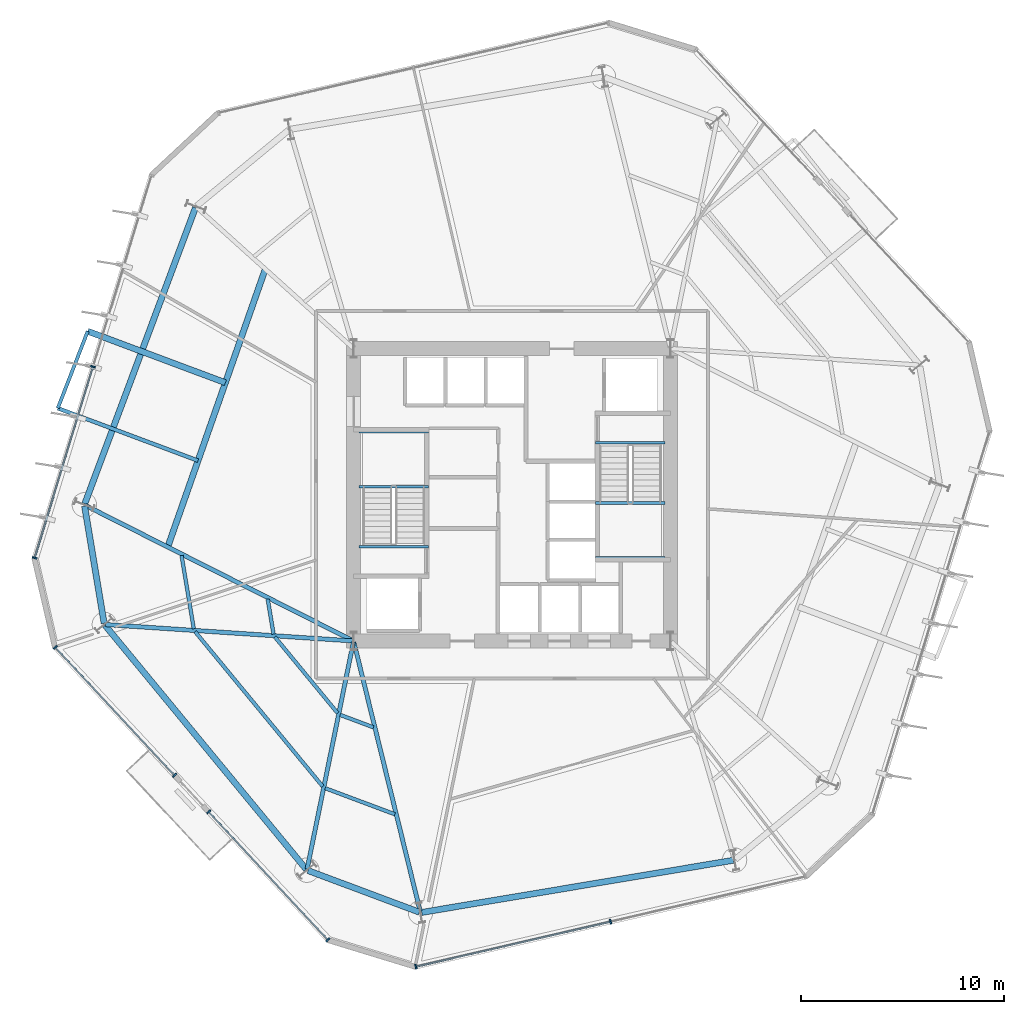
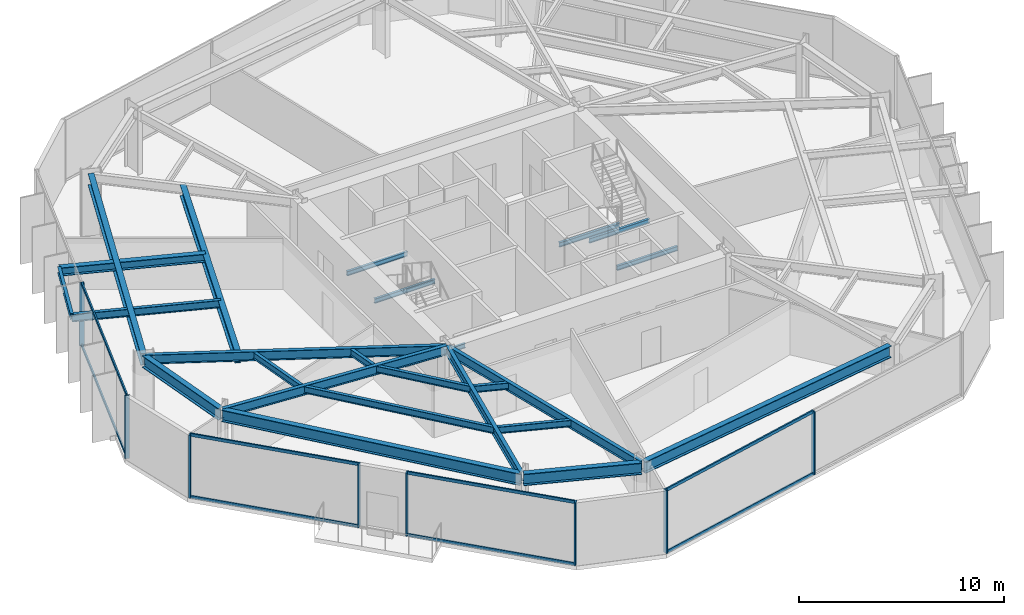
# One storey, part 2 of 10: 25 beams, 16 members, 4 elements without a shape of their own.
"""IFC4 building model written with IfcOpenShell, lengths in metres."""

from ifc_helpers import new_model, si_unit, direction, frame, origin, origin_2d, place, context, subcontext, project, spatial, rectangle, i_section, extrude, material, layer, layer_set, material_profile, profile_set, type_object, element, aggregate, save


model = new_model("IFC4")

# Units and contexts
model_context = context("Model", 3, precision=1e-05, world=origin(), true_north=direction((0.0, 1.0)))
body_context = subcontext(model_context, "Body", "Model", "MODEL_VIEW")
ifc_project = project(units=[si_unit("LENGTHUNIT", "METRE"), si_unit("AREAUNIT", "SQUARE_METRE"), si_unit("VOLUMEUNIT", "CUBIC_METRE"), si_unit("PLANEANGLEUNIT", "RADIAN"), si_unit("MASSUNIT", "GRAM", prefix="KILO")], contexts=[model_context])

# Site, building, storey
site_placement = place(None, origin())
site = spatial("IfcSite", under=ifc_project, at=site_placement, CompositionType="ELEMENT")
building_placement = place(site_placement, origin())
building = spatial("IfcBuilding", under=site, at=building_placement, Name="Kranzbogen Civic Tower", CompositionType="ELEMENT")
storey_placement = place(building_placement, frame((0.0, 0.0, 72.0)))
storey = spatial("IfcBuildingStorey", under=building, at=storey_placement, Name="L17", CompositionType="ELEMENT", Elevation=72.0)

# Beam
ifc_material_1 = material(Name="Steel S355", Category="steel")
ifc_material_profile_1 = material_profile(ifc_material_1, i_section(OverallWidth=0.18994140625, OverallDepth=0.449951171875, WebThickness=0.009521484375, FlangeThickness=0.0146484375, at=origin_2d()), Name="IPE 450")
ifc_profile_set_1 = profile_set([ifc_material_profile_1], Name="Steel S355")
beam_type_1 = type_object("IfcBeamType", Name="Braced Terrace Edge Beam IPE 450", PredefinedType="BEAM", material=ifc_profile_set_1)
beam_1_placement = place(storey_placement, frame((9.5400390625, 26.678955078125, 3.52490234375), z_axis=(-0.936656766471, 0.350248628582, 0.0), x_axis=(-0.350248628582, -0.936656766471, 0.0)))
element("IfcBeam", 1, at=beam_1_placement, inside=storey, type_object=beam_type_1, Name="L18 back-spanned terrace beam L18-TB2-2", PredefinedType="BEAM", context=body_context, shape_type="SweptSolid", body=[
    extrude(i_section(OverallWidth=0.18994140625, OverallDepth=0.449951171875, WebThickness=0.009521484375, FlangeThickness=0.0146484375, at=origin_2d()), origin(), (0.0, 0.0, 1.0), 7.3720703125),
])

# Curtain wall, members
ifc_material_2 = material(Name="Pale Anodised Aluminium", Category="aluminium")
ifc_layer = layer(ifc_material_2, 0.219970703125, Name="Pale Anodised Aluminium")
ifc_layer_set = layer_set([ifc_layer], Name="Pale Anodised Aluminium")
curtain_wall_type = type_object("IfcCurtainWallType", Name="Zone 1 Stick Curtain Wall System CW-02", PredefinedType="USERDEFINED", material=ifc_layer_set)
curtain_wall_1_placement = place(storey_placement, origin())
curtain_wall_1 = element("IfcCurtainWall", 2, at=curtain_wall_1_placement, inside=storey, type_object=curtain_wall_type, Name="L17 curtain wall CW-L17-F3", ObjectType="STICK CURTAIN WALL", PredefinedType="USERDEFINED")
ifc_material_profile_2 = material_profile(ifc_material_2, rectangle(XDim=0.080078125, YDim=0.239990234375, at=origin_2d()), Name="ALU-M 80x240")
ifc_profile_set_2 = profile_set([ifc_material_profile_2], Name="Pale Anodised Aluminium")
member_type_1 = type_object("IfcMemberType", Name="Curtain Wall Mullion ALU-M 80x240", PredefinedType="MULLION", material=ifc_profile_set_2)
member_1_placement = place(storey_placement, frame((4.37060546875, 31.306884765625, 0.0), z_axis=(0.0, 0.0, 1.0), x_axis=(-0.292380656499, -0.956302019085, 0.0)))
member_1 = element("IfcMember", 3, at=member_1_placement, type_object=member_type_1, Name="CW-02 mullion 2", PredefinedType="MULLION", context=body_context, shape_type="SweptSolid", body=[
    extrude(rectangle(XDim=0.080078125, YDim=0.239990234375, at=origin_2d()), origin(), (0.0, 0.0, 1.0), 3.760009765625),
])
member_2_placement = place(storey_placement, frame((1.49267578125, 21.894775390625, 0.0), z_axis=(0.0, 0.0, 1.0), x_axis=(-0.292380656499, -0.956302019085, 0.0)))
member_2 = element("IfcMember", 4, at=member_2_placement, type_object=member_type_1, Name="CW-02 mullion 3", PredefinedType="MULLION", context=body_context, shape_type="SweptSolid", body=[
    extrude(rectangle(XDim=0.080078125, YDim=0.239990234375, at=origin_2d()), origin(), (0.0, 0.0, 1.0), 3.760009765625),
])

curtain_wall_2_placement = place(storey_placement, origin())
curtain_wall_2 = element("IfcCurtainWall", 5, at=curtain_wall_2_placement, inside=storey, type_object=curtain_wall_type, Name="L17 curtain wall CW-L17-F4-S1", ObjectType="STICK CURTAIN WALL", PredefinedType="USERDEFINED")
member_3_placement = place(storey_placement, frame((2.510498046875, 17.485107421875, 0.0), z_axis=(0.0, 0.0, 1.0), x_axis=(0.681997701527, -0.731354315713, 0.0)))
member_3 = element("IfcMember", 6, at=member_3_placement, type_object=member_type_1, Name="CW-02 mullion 1", PredefinedType="MULLION", context=body_context, shape_type="SweptSolid", body=[
    extrude(rectangle(XDim=0.080078125, YDim=0.239990234375, at=origin_2d()), origin(), (0.0, 0.0, 1.0), 3.760009765625),
])
member_4_placement = place(storey_placement, frame((8.383544921875, 11.18701171875, 0.0), z_axis=(0.0, 0.0, 1.0), x_axis=(0.681997701527, -0.731354315713, 0.0)))
member_4 = element("IfcMember", 7, at=member_4_placement, type_object=member_type_1, Name="CW-02 mullion 2", PredefinedType="MULLION", context=body_context, shape_type="SweptSolid", body=[
    extrude(rectangle(XDim=0.080078125, YDim=0.239990234375, at=origin_2d()), origin(), (0.0, 0.0, 1.0), 3.760009765625),
])

curtain_wall_3_placement = place(storey_placement, origin())
curtain_wall_3 = element("IfcCurtainWall", 8, at=curtain_wall_3_placement, inside=storey, type_object=curtain_wall_type, Name="L17 curtain wall CW-L17-F4-S2", ObjectType="STICK CURTAIN WALL", PredefinedType="USERDEFINED")
member_5_placement = place(storey_placement, frame((10.0615234375, 9.386962890625, 0.0), z_axis=(0.0, 0.0, 1.0), x_axis=(0.681997701527, -0.731354315713, 0.0)))
member_5 = element("IfcMember", 9, at=member_5_placement, type_object=member_type_1, Name="CW-02 mullion 1", PredefinedType="MULLION", context=body_context, shape_type="SweptSolid", body=[
    extrude(rectangle(XDim=0.080078125, YDim=0.239990234375, at=origin_2d()), origin(), (0.0, 0.0, 1.0), 3.760009765625),
])
member_6_placement = place(storey_placement, frame((15.9345703125, 3.0888671875, 0.0), z_axis=(0.0, 0.0, 1.0), x_axis=(0.681997701527, -0.731354315713, 0.0)))
member_6 = element("IfcMember", 10, at=member_6_placement, type_object=member_type_1, Name="CW-02 mullion 2", PredefinedType="MULLION", context=body_context, shape_type="SweptSolid", body=[
    extrude(rectangle(XDim=0.080078125, YDim=0.239990234375, at=origin_2d()), origin(), (0.0, 0.0, 1.0), 3.760009765625),
])

curtain_wall_4_placement = place(storey_placement, origin())
curtain_wall_4 = element("IfcCurtainWall", 11, at=curtain_wall_4_placement, inside=storey, type_object=curtain_wall_type, Name="L17 curtain wall CW-L17-F5", ObjectType="STICK CURTAIN WALL", PredefinedType="USERDEFINED")
member_7_placement = place(storey_placement, frame((20.26318359375, 1.765869140625, 0.0), z_axis=(0.0, 0.0, 1.0), x_axis=(0.974363872797, 0.224977873109, 0.0)))
member_7 = element("IfcMember", 12, at=member_7_placement, type_object=member_type_1, Name="CW-02 mullion 1", PredefinedType="MULLION", context=body_context, shape_type="SweptSolid", body=[
    extrude(rectangle(XDim=0.080078125, YDim=0.239990234375, at=origin_2d()), origin(), (0.0, 0.0, 1.0), 3.760009765625),
])
member_8_placement = place(storey_placement, frame((29.85302734375, 3.97998046875, 0.0), z_axis=(0.0, 0.0, 1.0), x_axis=(0.974363872797, 0.224977873109, 0.0)))
member_8 = element("IfcMember", 13, at=member_8_placement, type_object=member_type_1, Name="CW-02 mullion 2", PredefinedType="MULLION", context=body_context, shape_type="SweptSolid", body=[
    extrude(rectangle(XDim=0.080078125, YDim=0.239990234375, at=origin_2d()), origin(), (0.0, 0.0, 1.0), 3.760009765625),
])

# Member
ifc_material_profile_3 = material_profile(ifc_material_2, rectangle(XDim=0.080078125, YDim=0.179931640625, at=origin_2d()), Name="ALU-T 80x180")
ifc_profile_set_3 = profile_set([ifc_material_profile_3], Name="Pale Anodised Aluminium")
member_type_2 = type_object("IfcMemberType", Name="Curtain Wall Transom ALU-T 80x180", PredefinedType="USERDEFINED", material=ifc_profile_set_3)
member_9_placement = place(storey_placement, frame((4.36181640625, 31.2783203125, 0.030029296875), z_axis=(-0.2923947963, -0.956297695854, 0.0), x_axis=(0.956297695854, -0.2923947963, 0.0)))
member_9 = element("IfcMember", 14, at=member_9_placement, type_object=member_type_2, Name="CW-02 transom 2.1", ObjectType="TRANSOM", PredefinedType="USERDEFINED", context=body_context, shape_type="SweptSolid", body=[
    extrude(rectangle(XDim=0.080078125, YDim=0.179931640625, at=origin_2d()), origin(), (0.0, 0.0, 1.0), 9.782470703125),
])

member_10_placement = place(storey_placement, frame((4.36181640625, 31.2783203125, 3.72998046875), z_axis=(-0.2923947963, -0.956297695854, 0.0), x_axis=(0.956297695854, -0.2923947963, 0.0)))
member_10 = element("IfcMember", 15, at=member_10_placement, type_object=member_type_2, Name="CW-02 transom 2.2", ObjectType="TRANSOM", PredefinedType="USERDEFINED", context=body_context, shape_type="SweptSolid", body=[
    extrude(rectangle(XDim=0.080078125, YDim=0.179931640625, at=origin_2d()), origin(), (0.0, 0.0, 1.0), 9.782470703125),
])

aggregate(curtain_wall_1, [member_1, member_2, member_9, member_10])

member_11_placement = place(storey_placement, frame((2.531005859375, 17.463134765625, 0.030029296875), z_axis=(0.681994710967, -0.731357104439, 0.0), x_axis=(0.731357104439, 0.681994710967, 0.0)))
member_11 = element("IfcMember", 16, at=member_11_placement, type_object=member_type_2, Name="CW-02 transom 1.1", ObjectType="TRANSOM", PredefinedType="USERDEFINED", context=body_context, shape_type="SweptSolid", body=[
    extrude(rectangle(XDim=0.080078125, YDim=0.179931640625, at=origin_2d()), origin(), (0.0, 0.0, 1.0), 8.551513671875),
])

member_12_placement = place(storey_placement, frame((2.531005859375, 17.463134765625, 3.72998046875), z_axis=(0.681994710967, -0.731357104439, 0.0), x_axis=(0.731357104439, 0.681994710967, 0.0)))
member_12 = element("IfcMember", 17, at=member_12_placement, type_object=member_type_2, Name="CW-02 transom 1.2", ObjectType="TRANSOM", PredefinedType="USERDEFINED", context=body_context, shape_type="SweptSolid", body=[
    extrude(rectangle(XDim=0.080078125, YDim=0.179931640625, at=origin_2d()), origin(), (0.0, 0.0, 1.0), 8.551513671875),
])

aggregate(curtain_wall_2, [member_3, member_4, member_11, member_12])

member_13_placement = place(storey_placement, frame((10.08203125, 9.365234375, 0.030029296875), z_axis=(0.681980471079, -0.731370382958, 0.0), x_axis=(0.731370382958, 0.681980471079, 0.0)))
member_13 = element("IfcMember", 18, at=member_13_placement, type_object=member_type_2, Name="CW-02 transom 1.1", ObjectType="TRANSOM", PredefinedType="USERDEFINED", context=body_context, shape_type="SweptSolid", body=[
    extrude(rectangle(XDim=0.080078125, YDim=0.179931640625, at=origin_2d()), origin(), (0.0, 0.0, 1.0), 8.551513671875),
])

member_14_placement = place(storey_placement, frame((10.08203125, 9.365234375, 3.72998046875), z_axis=(0.681980471079, -0.731370382958, 0.0), x_axis=(0.731370382958, 0.681980471079, 0.0)))
member_14 = element("IfcMember", 19, at=member_14_placement, type_object=member_type_2, Name="CW-02 transom 1.2", ObjectType="TRANSOM", PredefinedType="USERDEFINED", context=body_context, shape_type="SweptSolid", body=[
    extrude(rectangle(XDim=0.080078125, YDim=0.179931640625, at=origin_2d()), origin(), (0.0, 0.0, 1.0), 8.551513671875),
])

aggregate(curtain_wall_3, [member_5, member_6, member_13, member_14])

member_15_placement = place(storey_placement, frame((20.29248046875, 1.7724609375, 0.030029296875), z_axis=(0.974365109305, 0.224972517809, 0.0), x_axis=(-0.224972517809, 0.974365109305, 0.0)))
member_15 = element("IfcMember", 20, at=member_15_placement, type_object=member_type_2, Name="CW-02 transom 1.1", ObjectType="TRANSOM", PredefinedType="USERDEFINED", context=body_context, shape_type="SweptSolid", body=[
    extrude(rectangle(XDim=0.080078125, YDim=0.179931640625, at=origin_2d()), origin(), (0.0, 0.0, 1.0), 9.781982421875),
])

member_16_placement = place(storey_placement, frame((20.29248046875, 1.7724609375, 3.72998046875), z_axis=(0.974365109305, 0.224972517809, 0.0), x_axis=(-0.224972517809, 0.974365109305, 0.0)))
member_16 = element("IfcMember", 21, at=member_16_placement, type_object=member_type_2, Name="CW-02 transom 1.2", ObjectType="TRANSOM", PredefinedType="USERDEFINED", context=body_context, shape_type="SweptSolid", body=[
    extrude(rectangle(XDim=0.080078125, YDim=0.179931640625, at=origin_2d()), origin(), (0.0, 0.0, 1.0), 9.781982421875),
])

aggregate(curtain_wall_4, [member_7, member_8, member_15, member_16])

# Beams
ifc_material_profile_4 = material_profile(ifc_material_1, i_section(OverallWidth=0.300048828125, OverallDepth=0.5, WebThickness=0.014404296875, FlangeThickness=0.028076171875, at=origin_2d()), Name="HEB 500")
ifc_profile_set_4 = profile_set([ifc_material_profile_4], Name="Steel S355")
beam_type_2 = type_object("IfcBeamType", Name="Perimeter Tube Spandrel Beam HEB 500", PredefinedType="SPANDREL", material=ifc_profile_set_4)
beam_2_placement = place(storey_placement, frame((10.887939453125, 30.51806640625, 3.5), z_axis=(-0.936701575718, 0.350128773522, 0.0), x_axis=(-0.350128773522, -0.936701575718, 0.0)))
element("IfcBeam", 22, at=beam_2_placement, inside=storey, type_object=beam_type_2, Name="L18 back-spanned terrace beam L18-TB2-1", PredefinedType="SPANDREL", context=body_context, shape_type="SweptSolid", body=[
    extrude(i_section(OverallWidth=0.300048828125, OverallDepth=0.5, WebThickness=0.014404296875, FlangeThickness=0.028076171875, at=origin_2d()), origin(), (0.0, 0.0, 1.0), 7.237060546875),
])
ifc_material_profile_5 = material_profile(ifc_material_1, i_section(OverallWidth=0.300048828125, OverallDepth=0.699951171875, WebThickness=0.01708984375, FlangeThickness=0.031982421875, at=origin_2d()), Name="HEB 700")
ifc_profile_set_5 = profile_set([ifc_material_profile_5], Name="Steel S355")
beam_type_3 = type_object("IfcBeamType", Name="Perimeter Tube Spandrel Beam HEB 700", PredefinedType="SPANDREL", material=ifc_profile_set_5)
beam_3_placement = place(storey_placement, frame((3.952880859375, 24.445068359375, 3.409912109375), z_axis=(0.164913116942, -0.986308097838, 0.0), x_axis=(0.986308097838, 0.164913116942, 0.0)))
element("IfcBeam", 23, at=beam_3_placement, inside=storey, type_object=beam_type_3, Name="L17 perimeter spandrel beam 01", PredefinedType="SPANDREL", context=body_context, shape_type="SweptSolid", body=[
    extrude(i_section(OverallWidth=0.300048828125, OverallDepth=0.699951171875, WebThickness=0.01708984375, FlangeThickness=0.031982421875, at=origin_2d()), origin(), (0.0, 0.0, 1.0), 5.85205078125),
])
beam_4_placement = place(storey_placement, frame((4.966064453125, 18.568115234375, 3.409912109375), z_axis=(0.636074572579, -0.771627590304, 0.0), x_axis=(0.771627590304, 0.636074572579, 0.0)))
element("IfcBeam", 24, at=beam_4_placement, inside=storey, type_object=beam_type_3, Name="L17 perimeter spandrel beam 02", PredefinedType="SPANDREL", context=body_context, shape_type="SweptSolid", body=[
    extrude(i_section(OverallWidth=0.300048828125, OverallDepth=0.699951171875, WebThickness=0.01708984375, FlangeThickness=0.031982421875, at=origin_2d()), origin(), (0.0, 0.0, 1.0), 15.5595703125),
])
beam_5_placement = place(storey_placement, frame((14.95703125, 6.4951171875, 3.409912109375), z_axis=(0.936647646965, -0.350273015568, 0.0), x_axis=(0.350273015568, 0.936647646965, 0.0)))
element("IfcBeam", 25, at=beam_5_placement, inside=storey, type_object=beam_type_3, Name="L17 perimeter spandrel beam 03", PredefinedType="SPANDREL", context=body_context, shape_type="SweptSolid", body=[
    extrude(i_section(OverallWidth=0.300048828125, OverallDepth=0.699951171875, WebThickness=0.01708984375, FlangeThickness=0.031982421875, at=origin_2d()), origin(), (0.0, 0.0, 1.0), 5.852783203125),
])
beam_6_placement = place(storey_placement, frame((20.553955078125, 4.43408203125, 3.409912109375), z_axis=(0.986285563243, 0.165047834697, 0.0), x_axis=(-0.165047834697, 0.986285563243, 0.0)))
element("IfcBeam", 26, at=beam_6_placement, inside=storey, type_object=beam_type_3, Name="L17 perimeter spandrel beam 04", PredefinedType="SPANDREL", context=body_context, shape_type="SweptSolid", body=[
    extrude(i_section(OverallWidth=0.300048828125, OverallDepth=0.699951171875, WebThickness=0.01708984375, FlangeThickness=0.031982421875, at=origin_2d()), origin(), (0.0, 0.0, 1.0), 15.558349609375),
])
beam_7_placement = place(storey_placement, frame((9.412109375, 39.133056640625, 3.409912109375), z_axis=(-0.350172267932, -0.936685316833, 0.0), x_axis=(0.936685316833, -0.350172267932, 0.0)))
element("IfcBeam", 27, at=beam_7_placement, inside=storey, type_object=beam_type_3, Name="L17 perimeter spandrel beam 12", PredefinedType="SPANDREL", context=body_context, shape_type="SweptSolid", body=[
    extrude(i_section(OverallWidth=0.300048828125, OverallDepth=0.699951171875, WebThickness=0.01708984375, FlangeThickness=0.031982421875, at=origin_2d()), origin(), (0.0, 0.0, 1.0), 15.55810546875),
])
beam_8_placement = place(storey_placement, frame((12.85205078125, 36.112060546875, 3.39990234375), z_axis=(-0.331242591506, -0.943545624531, 0.0), x_axis=(0.943545624531, -0.331242591506, 0.0)))
element("IfcBeam", 28, at=beam_8_placement, inside=storey, type_object=beam_type_3, Name="L18 balcony back-span header girder L18-TB2", PredefinedType="SPANDREL", context=body_context, shape_type="SweptSolid", body=[
    extrude(i_section(OverallWidth=0.300048828125, OverallDepth=0.699951171875, WebThickness=0.01708984375, FlangeThickness=0.031982421875, at=origin_2d()), origin(), (0.0, 0.0, 1.0), 14.5029296875),
])
ifc_material_profile_6 = material_profile(ifc_material_1, i_section(OverallWidth=0.2099609375, OverallDepth=0.550048828125, WebThickness=0.010986328125, FlangeThickness=0.01708984375, at=origin_2d()), Name="IPE 550")
ifc_profile_set_6 = profile_set([ifc_material_profile_6], Name="Steel S355")
beam_type_4 = type_object("IfcBeamType", Name="Radial Tower Floor Girder IPE 550", PredefinedType="BEAM", material=ifc_profile_set_6)
beam_9_placement = place(storey_placement, frame((3.9970703125, 24.47705078125, 3.485107421875), z_axis=(0.892363219254, -0.451317942168, 0.0), x_axis=(0.451317942168, 0.892363219254, 0.0)))
element("IfcBeam", 29, at=beam_9_placement, inside=storey, type_object=beam_type_4, Name="L17 radial floor girder 01", PredefinedType="BEAM", context=body_context, shape_type="SweptSolid", body=[
    extrude(i_section(OverallWidth=0.2099609375, OverallDepth=0.550048828125, WebThickness=0.010986328125, FlangeThickness=0.01708984375, at=origin_2d()), origin(), (0.0, 0.0, 1.0), 14.73486328125),
])
beam_10_placement = place(storey_placement, frame((4.988037109375, 18.610107421875, 3.485107421875), z_axis=(0.99780674843, -0.066194356156, 0.0), x_axis=(0.066194356156, 0.99780674843, 0.0)))
element("IfcBeam", 30, at=beam_10_placement, inside=storey, type_object=beam_type_4, Name="L17 radial floor girder 02", PredefinedType="BEAM", context=body_context, shape_type="SweptSolid", body=[
    extrude(i_section(OverallWidth=0.2099609375, OverallDepth=0.550048828125, WebThickness=0.010986328125, FlangeThickness=0.01708984375, at=origin_2d()), origin(), (0.0, 0.0, 1.0), 12.178466796875),
])
beam_11_placement = place(storey_placement, frame((14.9130859375, 6.574951171875, 3.485107421875), z_axis=(0.199633433694, 0.979870650725, 0.0), x_axis=(-0.979870650725, 0.199633433694, 0.0)))
element("IfcBeam", 31, at=beam_11_placement, inside=storey, type_object=beam_type_4, Name="L17 radial floor girder 03", PredefinedType="BEAM", context=body_context, shape_type="SweptSolid", body=[
    extrude(i_section(OverallWidth=0.2099609375, OverallDepth=0.550048828125, WebThickness=0.010986328125, FlangeThickness=0.01708984375, at=origin_2d()), origin(), (0.0, 0.0, 1.0), 11.3955078125),
])
beam_12_placement = place(storey_placement, frame((20.48095703125, 4.48193359375, 3.485107421875), z_axis=(-0.239215348776, 0.970966537482, 0.0), x_axis=(-0.970966537482, -0.239215348776, 0.0)))
element("IfcBeam", 32, at=beam_12_placement, inside=storey, type_object=beam_type_4, Name="L17 radial floor girder 04", PredefinedType="BEAM", context=body_context, shape_type="SweptSolid", body=[
    extrude(i_section(OverallWidth=0.2099609375, OverallDepth=0.550048828125, WebThickness=0.010986328125, FlangeThickness=0.01708984375, at=origin_2d()), origin(), (0.0, 0.0, 1.0), 13.656494140625),
])
ifc_material_profile_7 = material_profile(ifc_material_1, i_section(OverallWidth=0.169921875, OverallDepth=0.360107421875, WebThickness=0.008056640625, FlangeThickness=0.0126953125, at=origin_2d()), Name="IPE 360")
ifc_profile_set_7 = profile_set([ifc_material_profile_7], Name="Steel S355")
beam_type_5 = type_object("IfcBeamType", Name="Secondary Composite Floor Joist IPE 360", PredefinedType="JOIST", material=ifc_profile_set_7)
beam_13_placement = place(storey_placement, frame((4.10888671875, 33.052001953125, 3.570068359375), z_axis=(-0.362359362888, -0.932038460648, 0.0), x_axis=(0.932038460648, -0.362359362888, 0.0)))
element("IfcBeam", 33, at=beam_13_placement, inside=storey, type_object=beam_type_5, Name="L18 terrace outer edge trimmer L18-TB2", PredefinedType="JOIST", context=body_context, shape_type="SweptSolid", body=[
    extrude(i_section(OverallWidth=0.169921875, OverallDepth=0.360107421875, WebThickness=0.008056640625, FlangeThickness=0.0126953125, at=origin_2d()), origin(), (0.0, 0.0, 1.0), 4.0673828125),
])
ifc_material_profile_8 = material_profile(ifc_material_1, i_section(OverallWidth=0.179931640625, OverallDepth=0.39990234375, WebThickness=0.008544921875, FlangeThickness=0.013427734375, at=origin_2d()), Name="IPE 400")
ifc_profile_set_8 = profile_set([ifc_material_profile_8], Name="Steel S355")
beam_type_6 = type_object("IfcBeamType", Name="Secondary Composite Floor Joist IPE 400", PredefinedType="JOIST", material=ifc_profile_set_8)
beam_14_placement = place(storey_placement, frame((8.72900390625, 22.011962890625, 3.56005859375), z_axis=(0.164928678379, -0.986305495802, 0.0), x_axis=(0.986305495802, 0.164928678379, 0.0)))
element("IfcBeam", 34, at=beam_14_placement, inside=storey, type_object=beam_type_6, Name="L17 secondary floor joist 1.01", PredefinedType="JOIST", context=body_context, shape_type="SweptSolid", body=[
    extrude(i_section(OverallWidth=0.179931640625, OverallDepth=0.39990234375, WebThickness=0.008544921875, FlangeThickness=0.013427734375, at=origin_2d()), origin(), (0.0, 0.0, 1.0), 3.662109375),
])
beam_15_placement = place(storey_placement, frame((12.970947265625, 19.865966796875, 3.56005859375), z_axis=(0.165077224104, -0.986280644686, 0.0), x_axis=(0.986280644686, 0.165077224104, 0.0)))
element("IfcBeam", 35, at=beam_15_placement, inside=storey, type_object=beam_type_6, Name="L17 secondary floor joist 2.01", PredefinedType="JOIST", context=body_context, shape_type="SweptSolid", body=[
    extrude(i_section(OverallWidth=0.179931640625, OverallDepth=0.39990234375, WebThickness=0.008544921875, FlangeThickness=0.013427734375, at=origin_2d()), origin(), (0.0, 0.0, 1.0), 1.7509765625),
])
beam_16_placement = place(storey_placement, frame((9.39697265625, 18.259033203125, 3.56005859375), z_axis=(0.636094561772, -0.771611112209, 0.0), x_axis=(0.771611112209, 0.636094561772, 0.0)))
element("IfcBeam", 36, at=beam_16_placement, inside=storey, type_object=beam_type_6, Name="L17 secondary floor joist 1.02", PredefinedType="JOIST", context=body_context, shape_type="SweptSolid", body=[
    extrude(i_section(OverallWidth=0.179931640625, OverallDepth=0.39990234375, WebThickness=0.008544921875, FlangeThickness=0.013427734375, at=origin_2d()), origin(), (0.0, 0.0, 1.0), 9.874267578125),
])
beam_17_placement = place(storey_placement, frame((13.323974609375, 17.9990234375, 3.56005859375), z_axis=(0.636012010413, -0.771679157818, 0.0), x_axis=(0.771679157818, 0.636012010413, 0.0)))
element("IfcBeam", 37, at=beam_17_placement, inside=storey, type_object=beam_type_6, Name="L17 secondary floor joist 2.02", PredefinedType="JOIST", context=body_context, shape_type="SweptSolid", body=[
    extrude(i_section(OverallWidth=0.179931640625, OverallDepth=0.39990234375, WebThickness=0.008544921875, FlangeThickness=0.013427734375, at=origin_2d()), origin(), (0.0, 0.0, 1.0), 4.85693359375),
])
beam_18_placement = place(storey_placement, frame((15.803955078125, 10.550048828125, 3.56005859375), z_axis=(0.936622008794, -0.350341565678, 0.0), x_axis=(0.350341565678, 0.936622008794, 0.0)))
element("IfcBeam", 38, at=beam_18_placement, inside=storey, type_object=beam_type_6, Name="L17 secondary floor joist 1.03", PredefinedType="JOIST", context=body_context, shape_type="SweptSolid", body=[
    extrude(i_section(OverallWidth=0.179931640625, OverallDepth=0.39990234375, WebThickness=0.008544921875, FlangeThickness=0.013427734375, at=origin_2d()), origin(), (0.0, 0.0, 1.0), 3.662109375),
])
beam_19_placement = place(storey_placement, frame((16.5390625, 14.160888671875, 3.56005859375), z_axis=(0.936735458815, -0.350038112495, 0.0), x_axis=(0.350038112495, 0.936735458815, 0.0)))
element("IfcBeam", 39, at=beam_19_placement, inside=storey, type_object=beam_type_6, Name="L17 secondary floor joist 2.03", PredefinedType="JOIST", context=body_context, shape_type="SweptSolid", body=[
    extrude(i_section(OverallWidth=0.179931640625, OverallDepth=0.39990234375, WebThickness=0.008544921875, FlangeThickness=0.013427734375, at=origin_2d()), origin(), (0.0, 0.0, 1.0), 1.750732421875),
])
ifc_material_profile_9 = material_profile(ifc_material_1, i_section(OverallWidth=0.135009765625, OverallDepth=0.27001953125, WebThickness=0.006591796875, FlangeThickness=0.01025390625, at=origin_2d()), Name="IPE 270")
ifc_profile_set_9 = profile_set([ifc_material_profile_9], Name="Steel S355")
beam_type_7 = type_object("IfcBeamType", Name="Stair Landing Support Beam IPE 270", PredefinedType="JOIST", material=ifc_profile_set_9)
for number, where, z_axis, x_axis, name in (
    (40, (20.8798828125, 22.43994140625, -0.375), (-1.0, 0.0, 0.0), (0.0, -1.0, 0.0), "L17 ST-T1 stair floor header beam"),
    (41, (20.8798828125, 25.39990234375, 1.6650390625), (-1.0, 0.0, 0.0), (0.0, -1.0, 0.0), "L17 ST-T1 landing support beam 1.1"),
    (42, (20.8798828125, 28.10009765625, 1.6650390625), (-1.0, 0.0, 0.0), (0.0, -1.0, 0.0), "L17 ST-T1 landing support beam 1.2"),
    (43, (29.1201171875, 27.56005859375, -0.375), (1.0, 0.0, 0.0), (0.0, 1.0, 0.0), "L17 ST-T2 stair floor header beam"),
    (44, (29.1201171875, 24.60009765625, 1.6650390625), (1.0, 0.0, 0.0), (0.0, 1.0, 0.0), "L17 ST-T2 landing support beam 1.1"),
    (45, (29.1201171875, 21.89990234375, 1.6650390625), (1.0, 0.0, 0.0), (0.0, 1.0, 0.0), "L17 ST-T2 landing support beam 1.2"),
):
    element("IfcBeam", number, at=place(storey_placement, frame(where, z_axis=z_axis, x_axis=x_axis)), inside=storey, type_object=beam_type_7, Name=name, PredefinedType="JOIST", context=body_context, shape_type="SweptSolid", body=[
        extrude(i_section(OverallWidth=0.135009765625, OverallDepth=0.27001953125, WebThickness=0.006591796875, FlangeThickness=0.01025390625, at=origin_2d()), origin(), (0.0, 0.0, 1.0), 3.409912109375),
    ])

save(model, "model.ifc")
